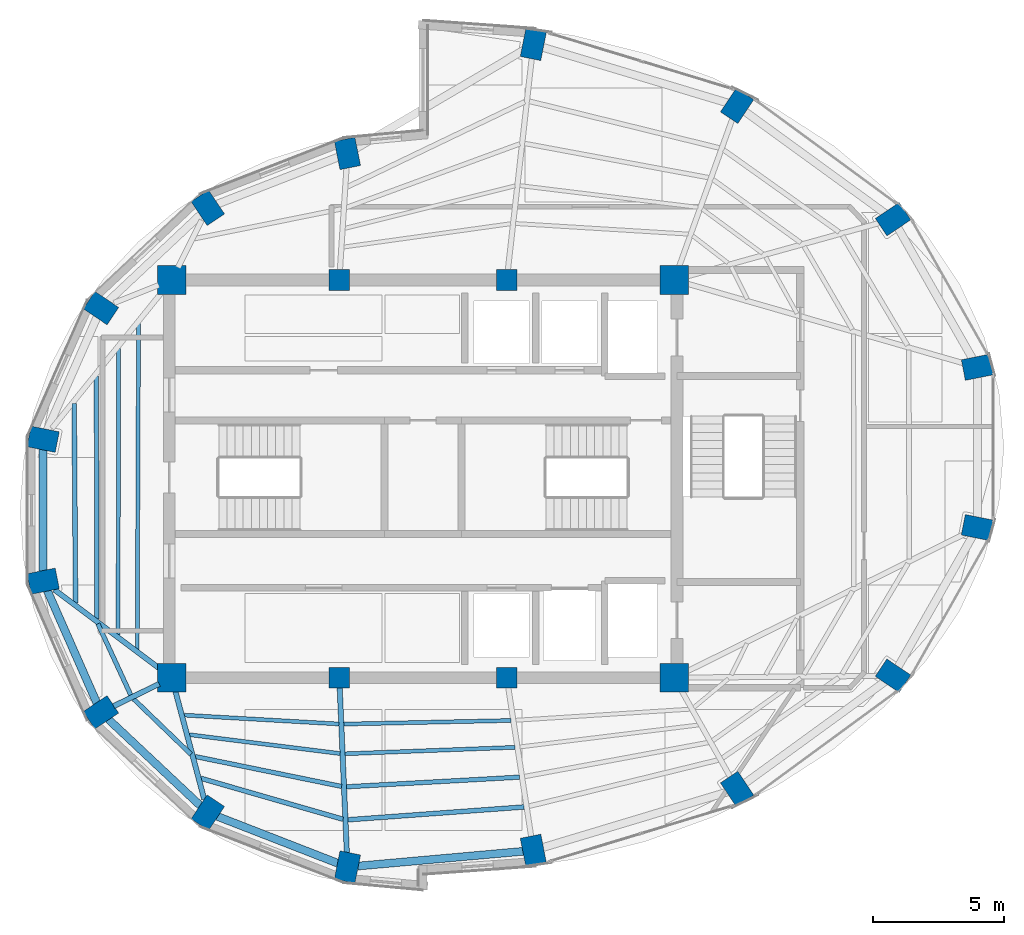
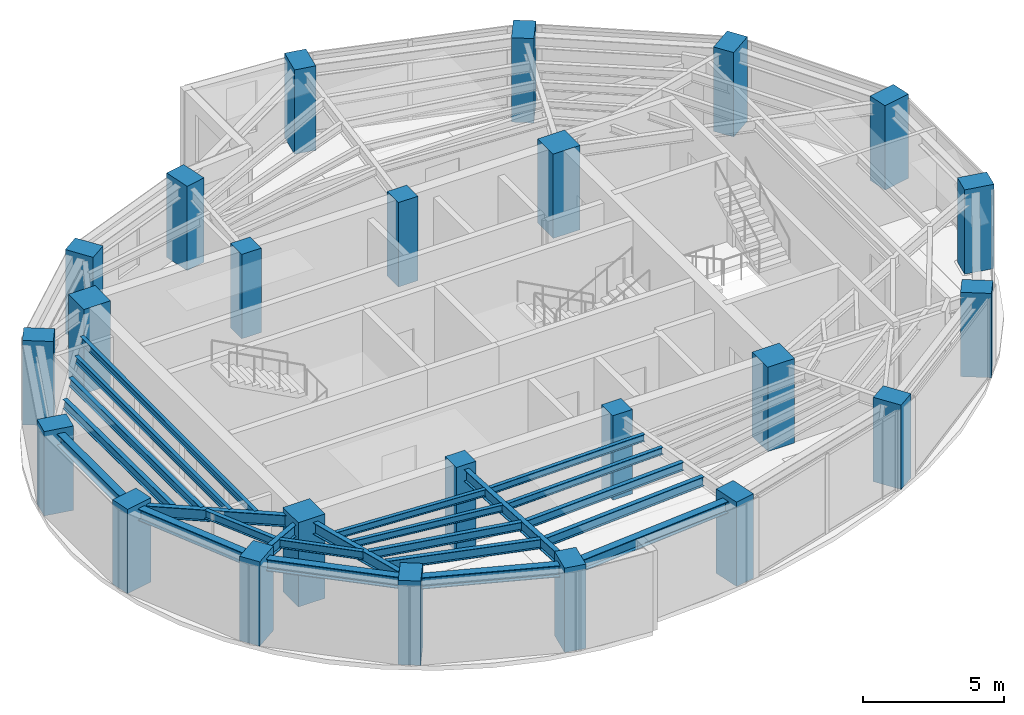
# One storey, part 1 of 12: 24 columns, 23 beams.
"""IFC4 building model written with IfcOpenShell, lengths in metres."""

from ifc_helpers import new_model, si_unit, direction, frame, origin, origin_2d, place, context, subcontext, project, spatial, rectangle, i_section, extrude, material, material_profile, profile_set, type_object, element, save


model = new_model("IFC4")

# Units and contexts
model_context = context("Model", 3, precision=1e-05, world=origin(), true_north=direction((0.0, 1.0)))
body_context = subcontext(model_context, "Body", "Model", "MODEL_VIEW")
ifc_project = project(units=[si_unit("LENGTHUNIT", "METRE"), si_unit("AREAUNIT", "SQUARE_METRE"), si_unit("VOLUMEUNIT", "CUBIC_METRE"), si_unit("PLANEANGLEUNIT", "RADIAN"), si_unit("MASSUNIT", "GRAM", prefix="KILO")], contexts=[model_context])

# Site, building, storey
site_placement = place(None, origin())
site = spatial("IfcSite", under=ifc_project, at=site_placement, CompositionType="ELEMENT")
building_placement = place(site_placement, origin())
building = spatial("IfcBuilding", under=site, at=building_placement, Name="Lazwardi Medical Tower", CompositionType="ELEMENT")
storey_placement = place(building_placement, frame((0.0, 0.0, 287.85595703125)))
storey = spatial("IfcBuildingStorey", under=building, at=storey_placement, Name="L75", CompositionType="ELEMENT", Elevation=287.85595703125)

# Columns
ifc_material_1 = material(Name="Concrete C80/95", Category="concrete")
ifc_material_profile_1 = material_profile(ifc_material_1, rectangle(XDim=1.10009765625, YDim=1.10009765625, at=origin_2d()), Name="RC 1100x1100")
ifc_profile_set_1 = profile_set([ifc_material_profile_1], Name="Concrete C80/95")
column_type_1 = type_object("IfcColumnType", Name="COL-CC-L", PredefinedType="COLUMN", material=ifc_profile_set_1)
for number, where, z_axis, x_axis, name in (
    (1, (26.39990234375, 20.39990234375, 0.0), (0.0, 0.0, 1.0), (1.0, 0.0, 0.0), "Core column CC-01 CC1 L75"),
    (2, (45.60009765625, 20.39990234375, 0.0), (0.0, 0.0, 1.0), (1.0, 0.0, 0.0), "Core column CC-01 CC4 L75"),
    (3, (45.60009765625, 35.60009765625, 0.0), (0.0, 0.0, 1.0), (1.0, 0.0, 0.0), "Core column CC-01 CC5 L75"),
    (4, (26.39990234375, 35.60009765625, 0.0), (0.0, 0.0, 1.0), (1.0, 0.0, 0.0), "Core column CC-01 CC8 L75"),
):
    element("IfcColumn", number, at=place(storey_placement, frame(where, z_axis=z_axis, x_axis=x_axis)), inside=storey, type_object=column_type_1, Name=name, PredefinedType="COLUMN", context=body_context, shape_type="SweptSolid", body=[
        extrude(rectangle(XDim=1.10009765625, YDim=1.10009765625, at=origin_2d()), origin(), (0.0, 0.0, 1.0), 3.64794921875),
    ])
ifc_material_2 = material(Name="Concrete C60/75", Category="concrete")
ifc_material_profile_2 = material_profile(ifc_material_2, rectangle(XDim=0.800048828125, YDim=0.800048828125, at=origin_2d()), Name="RC 800x800")
ifc_profile_set_2 = profile_set([ifc_material_profile_2], Name="Concrete C60/75")
column_type_2 = type_object("IfcColumnType", Name="COL-CC-U", PredefinedType="COLUMN", material=ifc_profile_set_2)
for number, where, z_axis, x_axis, name in (
    (5, (32.800048828125, 20.39990234375, 0.0), (0.0, 0.0, 1.0), (1.0, 0.0, 0.0), "Core column CC-03 CC2 L75"),
    (6, (39.199951171875, 20.39990234375, 0.0), (0.0, 0.0, 1.0), (1.0, 0.0, 0.0), "Core column CC-03 CC3 L75"),
    (7, (39.199951171875, 35.60009765625, 0.0), (0.0, 0.0, 1.0), (1.0, 0.0, 0.0), "Core column CC-03 CC6 L75"),
    (8, (32.800048828125, 35.60009765625, 0.0), (0.0, 0.0, 1.0), (1.0, 0.0, 0.0), "Core column CC-03 CC7 L75"),
):
    element("IfcColumn", number, at=place(storey_placement, frame(where, z_axis=z_axis, x_axis=x_axis)), inside=storey, type_object=column_type_2, Name=name, PredefinedType="COLUMN", context=body_context, shape_type="SweptSolid", body=[
        extrude(rectangle(XDim=0.800048828125, YDim=0.800048828125, at=origin_2d()), origin(), (0.0, 0.0, 1.0), 3.64794921875),
    ])
ifc_material_profile_3 = material_profile(ifc_material_2, rectangle(XDim=1.10009765625, YDim=0.800048828125, at=origin_2d()), Name="CFT-RECT 1100x800")
ifc_profile_set_3 = profile_set([ifc_material_profile_3], Name="Concrete C60/75")
column_type_3 = type_object("IfcColumnType", Name="COL-MC-Z4", PredefinedType="COLUMN", material=ifc_profile_set_3)
for number, where, z_axis, x_axis, name in (
    (9, (40.214111328125, 13.8017578125, 0.0), (0.0, 0.0, 1.0), (0.195090322016, -0.980785280403, 0.0), "Mega column MC-06 M01 L75"),
    (10, (48.000244140625, 16.14599609375, 0.0), (0.0, 0.0, 1.0), (0.55557023302, -0.831469612303, 0.0), "Mega column MC-06 M02 L75"),
    (11, (53.959716796875, 20.4775390625, 0.0), (0.0, 0.0, 1.0), (0.831469612303, -0.55557023302, 0.0), "Mega column MC-06 M03 L75"),
    (12, (57.18505859375, 26.13720703125, 0.0), (0.0, 0.0, 1.0), (0.980785280403, -0.195090322016, 0.0), "Mega column MC-06 M04 L75"),
    (13, (57.18505859375, 32.262939453125, 0.0), (0.0, 0.0, 1.0), (0.980785280403, 0.195090322016, 0.0), "Mega column MC-06 M05 L75"),
    (14, (53.959716796875, 37.922607421875, 0.0), (0.0, 0.0, 1.0), (0.831469612303, 0.55557023302, 0.0), "Mega column MC-06 M06 L75"),
    (15, (48.000244140625, 42.254150390625, 0.0), (0.0, 0.0, 1.0), (0.55557023302, 0.831469612303, 0.0), "Mega column MC-06 M07 L75"),
    (16, (40.214111328125, 44.598388671875, 0.0), (0.0, 0.0, 1.0), (0.195090322016, 0.980785280403, 0.0), "Mega column MC-06 M08 L75"),
    (17, (33.11279296875, 40.432861328125, 0.0), (0.0, 0.0, 1.0), (-0.195090322016, 0.980785280403, 0.0), "Mega column MC-06 M09 L75"),
    (18, (27.777587890625, 38.357421875, 0.0), (0.0, 0.0, 1.0), (-0.55557023302, 0.831469612303, 0.0), "Mega column MC-06 M10 L75"),
    (19, (23.694091796875, 34.5224609375, 0.0), (0.0, 0.0, 1.0), (-0.831469612303, 0.55557023302, 0.0), "Mega column MC-06 M11 L75"),
    (20, (21.484375, 29.51171875, 0.0), (0.0, 0.0, 1.0), (-0.980785280403, 0.195090322016, 0.0), "Mega column MC-06 M12 L75"),
    (21, (21.484375, 24.088134765625, 0.0), (0.0, 0.0, 1.0), (-0.980785280403, -0.195090322016, 0.0), "Mega column MC-06 M13 L75"),
    (22, (23.694091796875, 19.07763671875, 0.0), (0.0, 0.0, 1.0), (-0.831469612303, -0.55557023302, 0.0), "Mega column MC-06 M14 L75"),
    (23, (27.777587890625, 15.24267578125, 0.0), (0.0, 0.0, 1.0), (-0.55557023302, -0.831469612303, 0.0), "Mega column MC-06 M15 L75"),
    (24, (33.11279296875, 13.1669921875, 0.0), (0.0, 0.0, 1.0), (-0.195090322016, -0.980785280403, 0.0), "Mega column MC-06 M16 L75"),
):
    element("IfcColumn", number, at=place(storey_placement, frame(where, z_axis=z_axis, x_axis=x_axis)), inside=storey, type_object=column_type_3, Name=name, PredefinedType="COLUMN", context=body_context, shape_type="SweptSolid", body=[
        extrude(rectangle(XDim=1.10009765625, YDim=0.800048828125, at=origin_2d()), origin(), (0.0, 0.0, 1.0), 3.64794921875),
    ])

# Beams
ifc_material_3 = material(Name="Steel S355", Category="steel")
ifc_material_profile_4 = material_profile(ifc_material_3, i_section(OverallWidth=0.300048828125, OverallDepth=0.5, WebThickness=0.014404296875, FlangeThickness=0.028076171875, at=origin_2d()), Name="HEB 500")
ifc_profile_set_4 = profile_set([ifc_material_profile_4], Name="Steel S355")
beam_type_1 = type_object("IfcBeamType", Name="BM-RB-Z4", PredefinedType="BEAM", material=ifc_profile_set_4)
beam_1_placement = place(storey_placement, frame((21.484375, 29.121826171875, 3.197998046875), z_axis=(0.0, -1.0, 0.0), x_axis=(1.0, 0.0, 0.0)))
element("IfcBeam", 25, at=beam_1_placement, inside=storey, type_object=beam_type_1, Name="Ring beam RB-05 B12 L75", PredefinedType="BEAM", context=body_context, shape_type="SweptSolid", body=[
    extrude(i_section(OverallWidth=0.300048828125, OverallDepth=0.5, WebThickness=0.014404296875, FlangeThickness=0.028076171875, at=origin_2d()), origin(), (0.0, 0.0, 1.0), 4.6435546875),
])
beam_2_placement = place(storey_placement, frame((21.641845703125, 23.7314453125, 3.197998046875), z_axis=(0.403503258239, -0.914978207713, 0.0), x_axis=(0.914978207713, 0.403503258239, 0.0)))
element("IfcBeam", 26, at=beam_2_placement, inside=storey, type_object=beam_type_1, Name="Ring beam RB-05 B13 L75", PredefinedType="BEAM", context=body_context, shape_type="SweptSolid", body=[
    extrude(i_section(OverallWidth=0.300048828125, OverallDepth=0.5, WebThickness=0.014404296875, FlangeThickness=0.028076171875, at=origin_2d()), origin(), (0.0, 0.0, 1.0), 4.696533203125),
])
beam_3_placement = place(storey_placement, frame((23.978515625, 18.810546875, 3.197998046875), z_axis=(0.728935349177, -0.684582541934, 0.0), x_axis=(0.684582541934, 0.728935349177, 0.0)))
element("IfcBeam", 27, at=beam_3_placement, inside=storey, type_object=beam_type_1, Name="Ring beam RB-05 B14 L75", PredefinedType="BEAM", context=body_context, shape_type="SweptSolid", body=[
    extrude(i_section(OverallWidth=0.300048828125, OverallDepth=0.5, WebThickness=0.014404296875, FlangeThickness=0.028076171875, at=origin_2d()), origin(), (0.0, 0.0, 1.0), 4.822021484375),
])
beam_4_placement = place(storey_placement, frame((28.14111328125, 15.101318359375, 3.197998046875), z_axis=(0.931959260109, -0.362563011761, 0.0), x_axis=(0.362563011761, 0.931959260109, 0.0)))
element("IfcBeam", 28, at=beam_4_placement, inside=storey, type_object=beam_type_1, Name="Ring beam RB-05 B15 L75", PredefinedType="BEAM", context=body_context, shape_type="SweptSolid", body=[
    extrude(i_section(OverallWidth=0.300048828125, OverallDepth=0.5, WebThickness=0.014404296875, FlangeThickness=0.028076171875, at=origin_2d()), origin(), (0.0, 0.0, 1.0), 4.944580078125),
])
beam_5_placement = place(storey_placement, frame((33.501220703125, 13.201904296875, 3.197998046875), z_axis=(0.996030403479, 0.089013680669, 0.0), x_axis=(-0.089013680669, 0.996030403479, 0.0)))
element("IfcBeam", 29, at=beam_5_placement, inside=storey, type_object=beam_type_1, Name="Ring beam RB-05 B16 L75", PredefinedType="BEAM", context=body_context, shape_type="SweptSolid", body=[
    extrude(i_section(OverallWidth=0.300048828125, OverallDepth=0.5, WebThickness=0.014404296875, FlangeThickness=0.028076171875, at=origin_2d()), origin(), (0.0, 0.0, 1.0), 6.349365234375),
])
ifc_material_profile_5 = material_profile(ifc_material_3, i_section(OverallWidth=0.199951171875, OverallDepth=0.5, WebThickness=0.01025390625, FlangeThickness=0.01611328125, at=origin_2d()), Name="IPE 500")
ifc_profile_set_5 = profile_set([ifc_material_profile_5], Name="Steel S355")
beam_type_2 = type_object("IfcBeamType", Name="BM-RG-W3", PredefinedType="BEAM", material=ifc_profile_set_5)
beam_6_placement = place(storey_placement, frame((21.912353515625, 23.76708984375, 3.197998046875), z_axis=(0.79990185954, -0.600130831657, 0.0), x_axis=(0.600130831657, 0.79990185954, 0.0)))
element("IfcBeam", 30, at=beam_6_placement, inside=storey, type_object=beam_type_2, Name="Radial girder RG-04 R13 L75", PredefinedType="BEAM", context=body_context, shape_type="SweptSolid", body=[
    extrude(i_section(OverallWidth=0.199951171875, OverallDepth=0.5, WebThickness=0.01025390625, FlangeThickness=0.01611328125, at=origin_2d()), origin(), (0.0, 0.0, 1.0), 5.075439453125),
])
beam_7_placement = place(storey_placement, frame((24.1748046875, 19.3125, 3.197998046875), z_axis=(0.898439482653, 0.43909736507, 0.0), x_axis=(-0.43909736507, 0.898439482653, 0.0)))
element("IfcBeam", 31, at=beam_7_placement, inside=storey, type_object=beam_type_2, Name="Radial girder RG-04 R14 L75", PredefinedType="BEAM", context=body_context, shape_type="SweptSolid", body=[
    extrude(i_section(OverallWidth=0.199951171875, OverallDepth=0.5, WebThickness=0.01025390625, FlangeThickness=0.01611328125, at=origin_2d()), origin(), (0.0, 0.0, 1.0), 1.941650390625),
])
beam_8_placement = place(storey_placement, frame((27.639404296875, 15.759521484375, 3.197998046875), z_axis=(-0.25803645922, 0.966135179834, 0.0), x_axis=(-0.966135179834, -0.25803645922, 0.0)))
element("IfcBeam", 32, at=beam_8_placement, inside=storey, type_object=beam_type_2, Name="Radial girder RG-04 R15 L75", PredefinedType="BEAM", context=body_context, shape_type="SweptSolid", body=[
    extrude(i_section(OverallWidth=0.199951171875, OverallDepth=0.5, WebThickness=0.01025390625, FlangeThickness=0.01611328125, at=origin_2d()), origin(), (0.0, 0.0, 1.0), 4.26806640625),
])
beam_9_placement = place(storey_placement, frame((33.089599609375, 13.70166015625, 3.197998046875), z_axis=(-0.043190778794, 0.999066842923, 0.0), x_axis=(-0.999066842923, -0.043190778794, 0.0)))
element("IfcBeam", 33, at=beam_9_placement, inside=storey, type_object=beam_type_2, Name="Radial girder RG-04 R16 L75", PredefinedType="BEAM", context=body_context, shape_type="SweptSolid", body=[
    extrude(i_section(OverallWidth=0.199951171875, OverallDepth=0.5, WebThickness=0.01025390625, FlangeThickness=0.01611328125, at=origin_2d()), origin(), (0.0, 0.0, 1.0), 6.319580078125),
])
ifc_material_profile_6 = material_profile(ifc_material_3, i_section(OverallWidth=0.179931640625, OverallDepth=0.39990234375, WebThickness=0.008544921875, FlangeThickness=0.013427734375, at=origin_2d()), Name="IPE 400")
ifc_profile_set_6 = profile_set([ifc_material_profile_6], Name="Steel S355")
beam_type_3 = type_object("IfcBeamType", Name="BM-SJ-01", PredefinedType="JOIST", material=ifc_profile_set_6)
beam_10_placement = place(storey_placement, frame((22.669921875, 30.88427734375, 3.248046875), z_axis=(0.007038023905, -0.999975232803, 0.0), x_axis=(0.999975232803, 0.007038023905, 0.0)))
element("IfcBeam", 34, at=beam_10_placement, inside=storey, type_object=beam_type_3, Name="Secondary joist SJ-01 R1 B12 L75", PredefinedType="JOIST", context=body_context, shape_type="SweptSolid", body=[
    extrude(i_section(OverallWidth=0.179931640625, OverallDepth=0.39990234375, WebThickness=0.008544921875, FlangeThickness=0.013427734375, at=origin_2d()), origin(), (0.0, 0.0, 1.0), 7.631591796875),
])
beam_11_placement = place(storey_placement, frame((27.510498046875, 16.557861328125, 3.248046875), z_axis=(0.960828455467, -0.277143787887, 0.0), x_axis=(0.277143787887, 0.960828455467, 0.0)))
element("IfcBeam", 35, at=beam_11_placement, inside=storey, type_object=beam_type_3, Name="Secondary joist SJ-01 R1 B15 L75", PredefinedType="JOIST", context=body_context, shape_type="SweptSolid", body=[
    extrude(i_section(OverallWidth=0.179931640625, OverallDepth=0.39990234375, WebThickness=0.008544921875, FlangeThickness=0.013427734375, at=origin_2d()), origin(), (0.0, 0.0, 1.0), 5.654541015625),
])
beam_12_placement = place(storey_placement, frame((33.129638671875, 14.97119140625, 3.248046875), z_axis=(0.997360105889, 0.072614180298, 0.0), x_axis=(-0.072614180298, 0.997360105889, 0.0)))
element("IfcBeam", 36, at=beam_12_placement, inside=storey, type_object=beam_type_3, Name="Secondary joist SJ-01 R1 B16 L75", PredefinedType="JOIST", context=body_context, shape_type="SweptSolid", body=[
    extrude(i_section(OverallWidth=0.179931640625, OverallDepth=0.39990234375, WebThickness=0.008544921875, FlangeThickness=0.013427734375, at=origin_2d()), origin(), (0.0, 0.0, 1.0), 6.751220703125),
])
ifc_material_profile_7 = material_profile(ifc_material_3, i_section(OverallWidth=0.169921875, OverallDepth=0.360107421875, WebThickness=0.008056640625, FlangeThickness=0.0126953125, at=origin_2d()), Name="IPE 360")
ifc_profile_set_7 = profile_set([ifc_material_profile_7], Name="Steel S355")
beam_type_4 = type_object("IfcBeamType", Name="BM-SJ-02", PredefinedType="JOIST", material=ifc_profile_set_7)
beam_13_placement = place(storey_placement, frame((23.51806640625, 31.935302734375, 3.26806640625), z_axis=(0.001918121439, -0.999998160403, 0.0), x_axis=(0.999998160403, 0.001918121439, 0.0)))
element("IfcBeam", 37, at=beam_13_placement, inside=storey, type_object=beam_type_4, Name="Secondary joist SJ-02 R2 B12 L75", PredefinedType="JOIST", context=body_context, shape_type="SweptSolid", body=[
    extrude(i_section(OverallWidth=0.169921875, OverallDepth=0.360107421875, WebThickness=0.008056640625, FlangeThickness=0.0126953125, at=origin_2d()), origin(), (0.0, 0.0, 1.0), 9.29150390625),
])
beam_14_placement = place(storey_placement, frame((23.575927734375, 22.46240234375, 3.26806640625), z_axis=(0.419120130681, -0.907930788143, 0.0), x_axis=(0.907930788143, 0.419120130681, 0.0)))
element("IfcBeam", 38, at=beam_14_placement, inside=storey, type_object=beam_type_4, Name="Secondary joist SJ-02 R2 B13 L75", PredefinedType="JOIST", context=body_context, shape_type="SweptSolid", body=[
    extrude(i_section(OverallWidth=0.169921875, OverallDepth=0.360107421875, WebThickness=0.008056640625, FlangeThickness=0.0126953125, at=origin_2d()), origin(), (0.0, 0.0, 1.0), 2.998779296875),
])
beam_15_placement = place(storey_placement, frame((24.94091796875, 19.587646484375, 3.26806640625), z_axis=(0.719630919159, -0.694356781626, 0.0), x_axis=(0.694356781626, 0.719630919159, 0.0)))
element("IfcBeam", 39, at=beam_15_placement, inside=storey, type_object=beam_type_4, Name="Secondary joist SJ-02 R2 B14 L75", PredefinedType="JOIST", context=body_context, shape_type="SweptSolid", body=[
    extrude(i_section(OverallWidth=0.169921875, OverallDepth=0.360107421875, WebThickness=0.008056640625, FlangeThickness=0.0126953125, at=origin_2d()), origin(), (0.0, 0.0, 1.0), 3.042724609375),
])
beam_16_placement = place(storey_placement, frame((27.2919921875, 17.389892578125, 3.26806640625), z_axis=(0.979738197465, -0.200282461608, 0.0), x_axis=(0.200282461608, 0.979738197465, 0.0)))
element("IfcBeam", 40, at=beam_16_placement, inside=storey, type_object=beam_type_4, Name="Secondary joist SJ-02 R2 B15 L75", PredefinedType="JOIST", context=body_context, shape_type="SweptSolid", body=[
    extrude(i_section(OverallWidth=0.169921875, OverallDepth=0.360107421875, WebThickness=0.008056640625, FlangeThickness=0.0126953125, at=origin_2d()), origin(), (0.0, 0.0, 1.0), 5.7109375),
])
beam_17_placement = place(storey_placement, frame((33.0751953125, 16.232421875, 3.26806640625), z_axis=(0.998451835098, 0.055623133576, 0.0), x_axis=(-0.055623133576, 0.998451835098, 0.0)))
element("IfcBeam", 41, at=beam_17_placement, inside=storey, type_object=beam_type_4, Name="Secondary joist SJ-02 R2 B16 L75", PredefinedType="JOIST", context=body_context, shape_type="SweptSolid", body=[
    extrude(i_section(OverallWidth=0.169921875, OverallDepth=0.360107421875, WebThickness=0.008056640625, FlangeThickness=0.0126953125, at=origin_2d()), origin(), (0.0, 0.0, 1.0), 6.623291015625),
])
ifc_material_profile_8 = material_profile(ifc_material_3, i_section(OverallWidth=0.14990234375, OverallDepth=0.300048828125, WebThickness=0.007080078125, FlangeThickness=0.0107421875, at=origin_2d()), Name="IPE 300")
ifc_profile_set_8 = profile_set([ifc_material_profile_8], Name="Steel S355")
beam_type_5 = type_object("IfcBeamType", Name="BM-SJ-03", PredefinedType="JOIST", material=ifc_profile_set_8)
beam_18_placement = place(storey_placement, frame((24.366455078125, 32.986572265625, 3.298095703125), z_axis=(-0.001649574216, -0.999998639452, 0.0), x_axis=(0.999998639452, -0.001649574216, 0.0)))
element("IfcBeam", 42, at=beam_18_placement, inside=storey, type_object=beam_type_5, Name="Secondary joist SJ-03 R3 B12 L75", PredefinedType="JOIST", context=body_context, shape_type="SweptSolid", body=[
    extrude(i_section(OverallWidth=0.14990234375, OverallDepth=0.300048828125, WebThickness=0.007080078125, FlangeThickness=0.0107421875, at=origin_2d()), origin(), (0.0, 0.0, 1.0), 10.9521484375),
])
beam_19_placement = place(storey_placement, frame((27.072998046875, 18.221923828125, 3.298095703125), z_axis=(0.992269460733, -0.124102043887, 0.0), x_axis=(0.124102043887, 0.992269460733, 0.0)))
element("IfcBeam", 43, at=beam_19_placement, inside=storey, type_object=beam_type_5, Name="Secondary joist SJ-03 R3 B15 L75", PredefinedType="JOIST", context=body_context, shape_type="SweptSolid", body=[
    extrude(i_section(OverallWidth=0.14990234375, OverallDepth=0.300048828125, WebThickness=0.007080078125, FlangeThickness=0.0107421875, at=origin_2d()), origin(), (0.0, 0.0, 1.0), 5.803466796875),
])
beam_20_placement = place(storey_placement, frame((33.020751953125, 17.493408203125, 3.298095703125), z_axis=(0.999278116384, 0.037990079181, 0.0), x_axis=(-0.037990079181, 0.999278116384, 0.0)))
element("IfcBeam", 44, at=beam_20_placement, inside=storey, type_object=beam_type_5, Name="Secondary joist SJ-03 R3 B16 L75", PredefinedType="JOIST", context=body_context, shape_type="SweptSolid", body=[
    extrude(i_section(OverallWidth=0.14990234375, OverallDepth=0.300048828125, WebThickness=0.007080078125, FlangeThickness=0.0107421875, at=origin_2d()), origin(), (0.0, 0.0, 1.0), 6.4970703125),
])
beam_21_placement = place(storey_placement, frame((25.1298828125, 33.9326171875, 3.298095703125), z_axis=(-0.004060302734, -0.999991756937, 0.0), x_axis=(0.999991756937, -0.004060302734, 0.0)))
element("IfcBeam", 45, at=beam_21_placement, inside=storey, type_object=beam_type_5, Name="Secondary joist SJ-03 R4 B12 L75", PredefinedType="JOIST", context=body_context, shape_type="SweptSolid", body=[
    extrude(i_section(OverallWidth=0.14990234375, OverallDepth=0.300048828125, WebThickness=0.007080078125, FlangeThickness=0.0107421875, at=origin_2d()), origin(), (0.0, 0.0, 1.0), 12.446533203125),
])
beam_22_placement = place(storey_placement, frame((26.875244140625, 18.970458984375, 3.298095703125), z_axis=(0.998360639354, -0.057236647244, 0.0), x_axis=(0.057236647244, 0.998360639354, 0.0)))
element("IfcBeam", 46, at=beam_22_placement, inside=storey, type_object=beam_type_5, Name="Secondary joist SJ-03 R4 B15 L75", PredefinedType="JOIST", context=body_context, shape_type="SweptSolid", body=[
    extrude(i_section(OverallWidth=0.14990234375, OverallDepth=0.300048828125, WebThickness=0.007080078125, FlangeThickness=0.0107421875, at=origin_2d()), origin(), (0.0, 0.0, 1.0), 5.916259765625),
])
beam_23_placement = place(storey_placement, frame((32.9716796875, 18.62841796875, 3.298095703125), z_axis=(0.999768300197, 0.021525471452, 0.0), x_axis=(-0.021525471452, 0.999768300197, 0.0)))
element("IfcBeam", 47, at=beam_23_placement, inside=storey, type_object=beam_type_5, Name="Secondary joist SJ-03 R4 B16 L75", PredefinedType="JOIST", context=body_context, shape_type="SweptSolid", body=[
    extrude(i_section(OverallWidth=0.14990234375, OverallDepth=0.300048828125, WebThickness=0.007080078125, FlangeThickness=0.0107421875, at=origin_2d()), origin(), (0.0, 0.0, 1.0), 6.385498046875),
])

save(model, "model.ifc")
